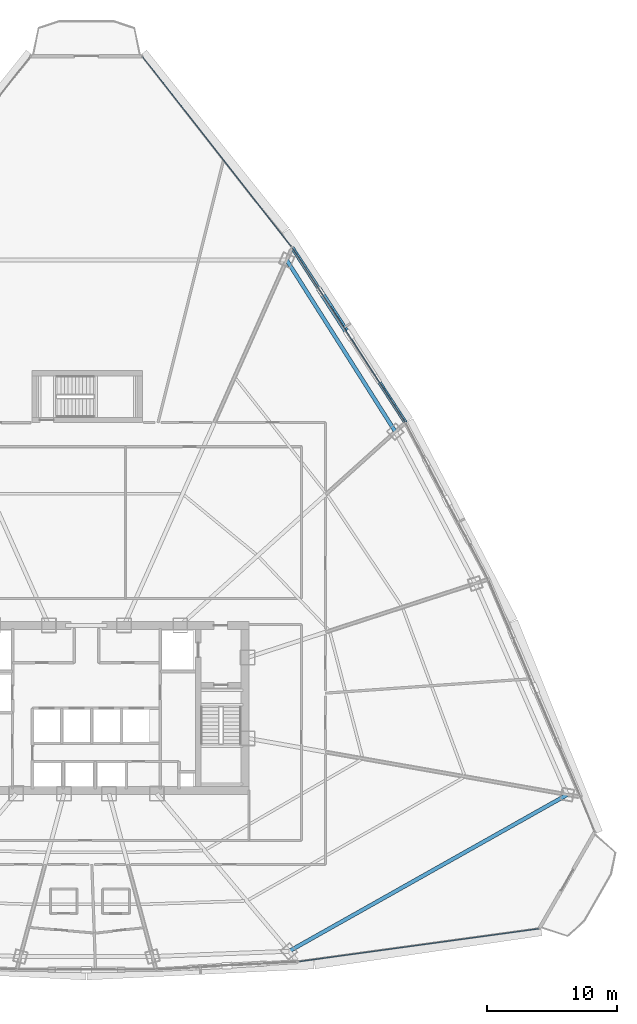
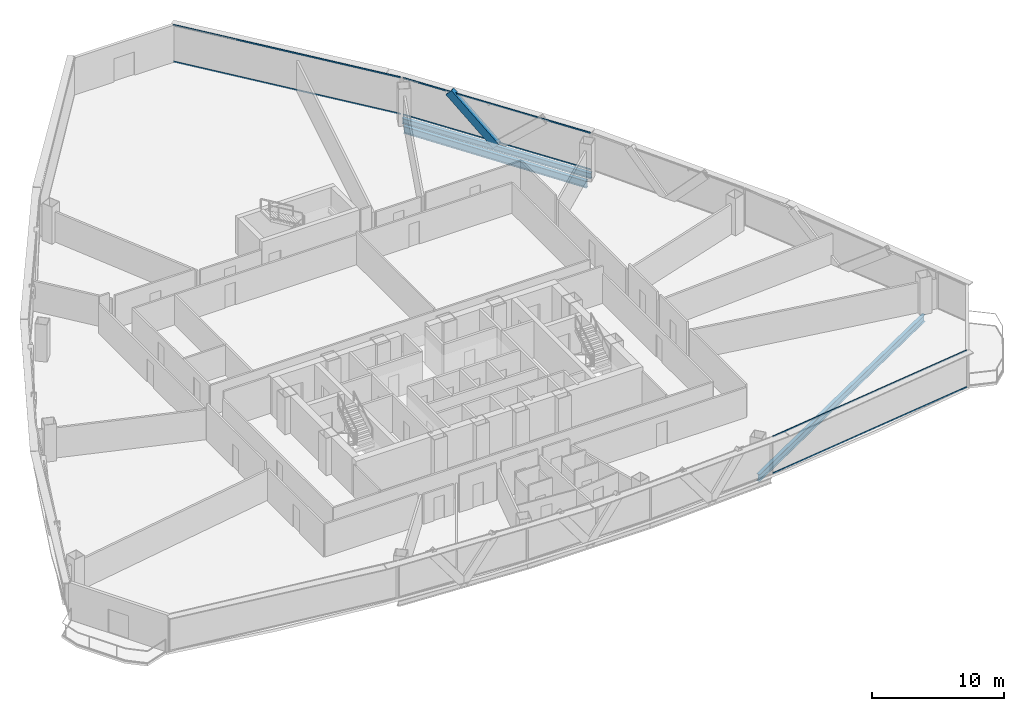
# One storey, part 23 of 39: 7 members, 3 beams, 3 elements without a shape of their own.
"""IFC4 building model written with IfcOpenShell, lengths in metres."""

import ifcopenshell
import ifcopenshell.guid

model = None  # the IFC model being written
_history = None  # IfcOwnerHistory: only IFC2X3 demands one
_inside = {}  # id of a spatial element -> (the spatial element, [elements in it])
_under = {}  # id of a project, library or spatial element -> (it, [spatial elements below it])
_declared = {}  # id of a project -> (the project, [libraries it declares])
_typed = {}  # id of a type object -> (the type object, [elements of that type])
_made_of = {}  # id of a material, layer set ... -> (it, [elements and type objects made of it])


def new_model(schema):
    """Start an empty IFC model of exactly this schema.

    Asked for "IFC4X3", IfcOpenShell would pick the latest addendum, in which some entities
    have other attributes; the version numbers below select the first issue.
    IFC2X3 requires an IfcOwnerHistory on every rooted entity: one is made here for all.
    """
    global model, _history
    if schema == "IFC4X3":
        model = ifcopenshell.file(schema_version=(4, 3, 0, 0))
    else:
        model = ifcopenshell.file(schema=schema)
    _inside.clear()
    _under.clear()
    _declared.clear()
    _typed.clear()
    _made_of.clear()
    _history = None
    if model.schema == "IFC2X3":
        org = make("IfcOrganization", Name="unknown")
        user = make(
            "IfcPersonAndOrganization",
            ThePerson=make("IfcPerson", FamilyName="unknown"),
            TheOrganization=org,
        )
        app = make(
            "IfcApplication",
            ApplicationDeveloper=org,
            Version="unknown",
            ApplicationFullName="unknown",
            ApplicationIdentifier="unknown",
        )
        _history = make(
            "IfcOwnerHistory",
            OwningUser=user,
            OwningApplication=app,
            ChangeAction="ADDED",
            CreationDate=0,
        )
    return model


def make(cls, **values):
    """One entity of the class cls with the attributes given. An attribute that is None is left unset."""
    return model.create_entity(
        cls, **{name: value for name, value in values.items() if value is not None}
    )


def rooted(cls, **values):
    """An entity with a GlobalId (a new one), such as an element, a storey or a relation."""
    return make(cls, GlobalId=ifcopenshell.guid.new(), OwnerHistory=_history, **values)


def si_unit(unit_type, name, prefix=None):
    """IfcSIUnit, for example si_unit("LENGTHUNIT", "METRE", prefix="MILLI")."""
    return make("IfcSIUnit", UnitType=unit_type, Prefix=prefix, Name=name)


def assignment(units):
    """IfcUnitAssignment: the units of a project."""
    return None if units is None else make("IfcUnitAssignment", Units=units)


def point(xyz):
    """IfcCartesianPoint."""
    return None if xyz is None else make("IfcCartesianPoint", Coordinates=xyz)


def direction(xyz):
    """IfcDirection."""
    return None if xyz is None else make("IfcDirection", DirectionRatios=xyz)


def frame(location, z_axis=None, x_axis=None):
    """IfcAxis2Placement3D, a coordinate frame: its origin and axes. An axis left out is left unset."""
    return make(
        "IfcAxis2Placement3D",
        Location=point(location),
        Axis=direction(z_axis),
        RefDirection=direction(x_axis),
    )


def frame_2d(location, x_axis=None):
    """IfcAxis2Placement2D, a coordinate frame in the plane: its origin and x axis."""
    return make(
        "IfcAxis2Placement2D", Location=point(location), RefDirection=direction(x_axis)
    )


def origin():
    """The frame at (0, 0, 0) with its axes left unset."""
    return frame((0.0, 0.0, 0.0))


def origin_2d():
    """The frame at (0, 0) in the plane with its x axis left unset."""
    return frame_2d((0.0, 0.0))


def place(relative_to, where):
    """IfcLocalPlacement: puts the frame where relative to a parent placement (None: the world)."""
    return make(
        "IfcLocalPlacement", PlacementRelTo=relative_to, RelativePlacement=where
    )


def context(
    kind, dimensions, precision=None, world=None, true_north=None, identifier=None
):
    """IfcGeometricRepresentationContext, for example the 3D "Model" context."""
    return make(
        "IfcGeometricRepresentationContext",
        ContextIdentifier=identifier,
        ContextType=kind,
        CoordinateSpaceDimension=dimensions,
        Precision=precision,
        WorldCoordinateSystem=world,
        TrueNorth=true_north,
    )


def subcontext(parent, identifier, kind, view, scale=None):
    """IfcGeometricRepresentationSubContext, for example "Body" below "Model"."""
    return make(
        "IfcGeometricRepresentationSubContext",
        ContextIdentifier=identifier,
        ContextType=kind,
        ParentContext=parent,
        TargetScale=scale,
        TargetView=view,
    )


def project(units=None, contexts=None):
    """IfcProject with its units and contexts."""
    return rooted(
        "IfcProject",
        Name="project",
        RepresentationContexts=contexts,
        UnitsInContext=assignment(units),
    )


def spatial(cls, under=None, at=None, **own):
    """A site, building, storey or space (cls), placed at a placement, below another one or the project."""
    s = rooted(cls, ObjectPlacement=at, **own)
    if under is not None:
        _under.setdefault(under.id(), (under, []))[1].append(s)
    return s


def profile(cls, at=None, kind="AREA", **sizes):
    """A parametric profile (cls). Its sizes go by their IFC names, for example OverallWidth=200.0."""
    return make(cls, ProfileType=kind, Position=at, **sizes)


def hollow_rectangle(**sizes):
    """IfcRectangleHollowProfileDef."""
    return profile("IfcRectangleHollowProfileDef", **sizes)


def i_section(**sizes):
    """IfcIShapeProfileDef."""
    return profile("IfcIShapeProfileDef", **sizes)


def extrude(swept, where, along, depth):
    """IfcExtrudedAreaSolid: the profile swept, set in the frame where, extruded along a direction by depth."""
    return make(
        "IfcExtrudedAreaSolid",
        SweptArea=swept,
        Position=where,
        ExtrudedDirection=direction(along),
        Depth=depth,
    )


def shape(context_of_items, identifier, shape_type, items):
    """IfcShapeRepresentation: the items that make up one representation, for example the "Body"."""
    return make(
        "IfcShapeRepresentation",
        ContextOfItems=context_of_items,
        RepresentationIdentifier=identifier,
        RepresentationType=shape_type,
        Items=items,
    )


def source(mapping_origin, context_of_items, identifier, shape_type, items):
    """IfcRepresentationMap: a shape defined once, which mapped items show again and again."""
    return make(
        "IfcRepresentationMap",
        MappingOrigin=mapping_origin,
        MappedRepresentation=shape(context_of_items, identifier, shape_type, items),
    )


def transform(
    local_origin,
    x_axis=None,
    y_axis=None,
    z_axis=None,
    scale=None,
    scale2=None,
    scale3=None,
    uniform=True,
):
    """IfcCartesianTransformationOperator3D, or its non-uniform kind. x_axis, y_axis, z_axis: its Axis1, 2, 3."""
    if uniform:
        return make(
            "IfcCartesianTransformationOperator3D",
            Axis1=direction(x_axis),
            Axis2=direction(y_axis),
            LocalOrigin=point(local_origin),
            Scale=scale,
            Axis3=direction(z_axis),
        )
    return make(
        "IfcCartesianTransformationOperator3DnonUniform",
        Axis1=direction(x_axis),
        Axis2=direction(y_axis),
        LocalOrigin=point(local_origin),
        Scale=scale,
        Axis3=direction(z_axis),
        Scale2=scale2,
        Scale3=scale3,
    )


def mapped(mapping_source, mapping_target):
    """IfcMappedItem: shows the shape of a source again, moved by a transform."""
    return make(
        "IfcMappedItem", MappingSource=mapping_source, MappingTarget=mapping_target
    )


def material(Name=None, Category=None):
    """IfcMaterial."""
    return make("IfcMaterial", Name=Name, Category=Category)


def layer(
    of_material, thickness, ventilated=None, Name=None, Category=None, Priority=None
):
    """IfcMaterialLayer: one layer of a wall or slab, of a material (None: an air gap)."""
    return make(
        "IfcMaterialLayer",
        Material=of_material,
        LayerThickness=thickness,
        IsVentilated=ventilated,
        Name=Name,
        Category=Category,
        Priority=Priority,
    )


def layer_set(layers, Name=None):
    """IfcMaterialLayerSet."""
    return make("IfcMaterialLayerSet", MaterialLayers=layers, LayerSetName=Name)


def material_profile(
    of_material, cross_section, Name=None, Category=None, Priority=None
):
    """IfcMaterialProfile: a cross section and its material."""
    return make(
        "IfcMaterialProfile",
        Name=Name,
        Material=of_material,
        Profile=cross_section,
        Priority=Priority,
        Category=Category,
    )


def profile_set(profiles, Name=None, composite=None):
    """IfcMaterialProfileSet."""
    return make(
        "IfcMaterialProfileSet",
        Name=Name,
        MaterialProfiles=profiles,
        CompositeProfile=composite,
    )


def made_of(thing, what):
    """Note that an element or type object is made of a material, layer set ...; save() writes the relation."""
    if what is not None:
        _made_of.setdefault(what.id(), (what, []))[1].append(thing)
    return thing


def type_object(cls, material=None, **own):
    """A type object (cls), such as IfcWallType, which elements share."""
    return made_of(rooted(cls, **own), material)


def element(
    cls,
    number,
    at=None,
    inside=None,
    cuts=None,
    type_object=None,
    material=None,
    context=None,
    identifier="Body",
    shape_type=None,
    held_by="IfcProductDefinitionShape",
    body=None,
    shapes=None,
    **own,
):
    """One element of the class cls, such as IfcWall. Its Tag is "e" and its number.

    at: its placement. inside: the storey or other place that contains it. cuts: it is an
    opening in that element (IfcRelVoidsElement). A single representation is given by context,
    identifier, shape_type and body (its items); several are given by shapes. held_by: the class
    of the entity that holds the representations. save() writes the other relations.
    """
    e = rooted(cls, Tag="e%d" % number, ObjectPlacement=at, **own)
    if body is not None:
        shapes = [shape(context, identifier, shape_type, body)]
    if shapes is not None:
        e.Representation = make(held_by, Representations=shapes)
    if inside is not None:
        _inside.setdefault(inside.id(), (inside, []))[1].append(e)
    if cuts is not None:
        rooted(
            "IfcRelVoidsElement", RelatingBuildingElement=cuts, RelatedOpeningElement=e
        )
    if type_object is not None:
        _typed.setdefault(type_object.id(), (type_object, []))[1].append(e)
    return made_of(e, material)


def aggregate(whole, parts):
    """IfcRelAggregates: a whole, such as a stair, and the parts it consists of."""
    return rooted("IfcRelAggregates", RelatingObject=whole, RelatedObjects=parts)


def save(model, path):
    """Write the relations noted so far, then the file.

    IfcRelAggregates (storeys below a building ...), IfcRelContainedInSpatialStructure (elements
    in a storey), IfcRelDefinesByType, IfcRelAssociatesMaterial and IfcRelDeclares: one each for
    every whole, place, type object, material and project.
    """
    for whole, parts in _under.values():
        aggregate(whole, parts)
    for where, things in _inside.values():
        rooted(
            "IfcRelContainedInSpatialStructure",
            RelatedElements=things,
            RelatingStructure=where,
        )
    for kind, things in _typed.values():
        rooted("IfcRelDefinesByType", RelatedObjects=things, RelatingType=kind)
    for what, things in _made_of.values():
        rooted("IfcRelAssociatesMaterial", RelatedObjects=things, RelatingMaterial=what)
    for by, libraries in _declared.values():
        rooted("IfcRelDeclares", RelatingContext=by, RelatedDefinitions=libraries)
    model.write(path)


model = new_model("IFC4")

# Units and contexts
model_context = context("Model", 3, precision=1e-05, world=origin(), true_north=direction((0.0, 1.0)))
body_context = subcontext(model_context, "Body", "Model", "MODEL_VIEW")
ifc_project = project(units=[si_unit("LENGTHUNIT", "METRE"), si_unit("AREAUNIT", "SQUARE_METRE"), si_unit("VOLUMEUNIT", "CUBIC_METRE"), si_unit("PLANEANGLEUNIT", "RADIAN"), si_unit("MASSUNIT", "GRAM", prefix="KILO"), si_unit("THERMODYNAMICTEMPERATUREUNIT", "KELVIN"), si_unit("POWERUNIT", "WATT")], contexts=[model_context])

# Site, building, storey
site_placement = place(None, origin())
site = spatial("IfcSite", under=ifc_project, at=site_placement, CompositionType="ELEMENT")
building_placement = place(site_placement, origin())
building = spatial("IfcBuilding", under=site, at=building_placement, Name="Yunzhuo Pagoda Commons", CompositionType="ELEMENT")
storey_placement = place(building_placement, frame((0.0, 0.0, 166.6298828125)))
storey = spatial("IfcBuildingStorey", under=building, at=storey_placement, Name="L42", CompositionType="ELEMENT", Elevation=166.6298828125)

# Beams
ifc_material_1 = material(Name="Structural steel Q355B", Category="steel")
ifc_material_profile_1 = material_profile(ifc_material_1, i_section(OverallWidth=0.300048828125, OverallDepth=0.64990234375, WebThickness=0.012939453125, FlangeThickness=0.02197265625, at=origin_2d()), Name="Structural steel Q355B")
ifc_profile_set_1 = profile_set([ifc_material_profile_1], Name="Structural steel Q355B")
beam_type_1 = type_object("IfcBeamType", Name="B-RG2 Beam HN 650x300x13x22", PredefinedType="BEAM", material=ifc_profile_set_1)
shared_shape_1 = source(origin(), body_context, "Body", "SweptSolid", [
    extrude(i_section(OverallWidth=0.300048828125, OverallDepth=0.64990234375, WebThickness=0.012939453125, FlangeThickness=0.02197265625, at=origin_2d()), origin(), (0.0, 0.0, 1.0), 24.56982421875),
])
beam_1_placement = place(storey_placement, frame((63.585205078125, 15.126220703125, -0.5849609375), z_axis=(0.871469103633, 0.490450406681, 0.0), x_axis=(-0.490450406681, 0.871469103633, 0.0)))
element("IfcBeam", 1, at=beam_1_placement, inside=storey, type_object=beam_type_1, Name="L42 column-ring beam 4", PredefinedType="BEAM", context=body_context, shape_type="MappedRepresentation", body=[
    mapped(shared_shape_1, transform((0.0, 0.0, 0.0), scale=1.0)),
])
shared_shape_2 = source(origin(), body_context, "Body", "SweptSolid", [
    extrude(i_section(OverallWidth=0.300048828125, OverallDepth=0.64990234375, WebThickness=0.012939453125, FlangeThickness=0.02197265625, at=origin_2d()), origin(), (0.0, 0.0, 1.0), 15.627685546875),
])
beam_2_placement = place(storey_placement, frame((71.76611328125, 55.09912109375, -0.5849609375), z_axis=(-0.534952471728, 0.844882153316, 0.0), x_axis=(-0.844882153316, -0.534952471728, 0.0)))
element("IfcBeam", 2, at=beam_2_placement, inside=storey, type_object=beam_type_1, Name="L42 column-ring beam 7", PredefinedType="BEAM", context=body_context, shape_type="MappedRepresentation", body=[
    mapped(shared_shape_2, transform((0.0, 0.0, 0.0), scale=1.0)),
])
ifc_material_profile_2 = material_profile(ifc_material_1, i_section(OverallWidth=0.300048828125, OverallDepth=0.488037109375, WebThickness=0.010986328125, FlangeThickness=0.01806640625, at=origin_2d()), Name="Structural steel Q355B")
ifc_profile_set_2 = profile_set([ifc_material_profile_2], Name="Structural steel Q355B")
beam_type_2 = type_object("IfcBeamType", Name="B-SP1 Beam HM 488x300x11x18", PredefinedType="BEAM", material=ifc_profile_set_2)
shared_shape_3 = source(origin(), body_context, "Body", "SweptSolid", [
    extrude(i_section(OverallWidth=0.300048828125, OverallDepth=0.488037109375, WebThickness=0.010986328125, FlangeThickness=0.01806640625, at=origin_2d()), origin(), (0.0, 0.0, 1.0), 16.0341796875),
])
beam_3_placement = place(storey_placement, frame((72.54638671875, 55.8017578125, -0.50390625), z_axis=(-0.543409101482, 0.83946801513, 0.0), x_axis=(-0.83946801513, -0.543409101482, 0.0)))
element("IfcBeam", 3, at=beam_3_placement, inside=storey, type_object=beam_type_2, Name="L42 facade edge spandrel beam F2.3", PredefinedType="BEAM", context=body_context, shape_type="MappedRepresentation", body=[
    mapped(shared_shape_3, transform((0.0, 0.0, 0.0), scale=1.0)),
])

# Member
ifc_material_profile_3 = material_profile(ifc_material_1, hollow_rectangle(XDim=0.39990234375, YDim=0.719970703125, WallThickness=0.02392578125, at=origin_2d()), Name="Structural steel Q355B")
ifc_profile_set_3 = profile_set([ifc_material_profile_3], Name="Structural steel Q355B")
member_type_1 = type_object("IfcMemberType", Name="M-DL2 Brace BOX 720x400x24", PredefinedType="BRACE", material=ifc_profile_set_3)
shared_shape_4 = source(origin(), body_context, "Body", "SweptSolid", [
    extrude(hollow_rectangle(XDim=0.39990234375, YDim=0.719970703125, WallThickness=0.02392578125, at=origin_2d()), origin(), (0.0, 0.0, 1.0), 5.441650390625),
])
member_1_placement = place(storey_placement, frame((68.189697265625, 62.53173828125, -0.259765625), z_axis=(-0.400288527853, 0.618423791518, 0.676255209631), x_axis=(-0.839488448366, -0.543377534556, 0.0)))
element("IfcMember", 4, at=member_1_placement, inside=storey, type_object=member_type_1, Name="L42 facade diamond brace F2.3R", PredefinedType="BRACE", context=body_context, shape_type="MappedRepresentation", body=[
    mapped(shared_shape_4, transform((0.0, 0.0, 0.0), scale=1.0)),
])

# Curtain wall, members
ifc_material_2 = material(Name="Anodized aluminium 6063-T6", Category="aluminium")
ifc_layer = layer(ifc_material_2, 0.14990234375)
ifc_layer_set = layer_set([ifc_layer], Name="Anodized aluminium 6063-T6")
curtain_wall_type = type_object("IfcCurtainWallType", Name="CW-MID Mid-Zone Ribbon Curtain Wall", PredefinedType="NOTDEFINED", material=ifc_layer_set)
curtain_wall_1_placement = place(storey_placement, origin())
curtain_wall_1 = element("IfcCurtainWall", 5, at=curtain_wall_1_placement, inside=storey, type_object=curtain_wall_type, Name="L42 curtain wall CW-L42-F1B5", PredefinedType="NOTDEFINED")
ifc_material_profile_4 = material_profile(ifc_material_2, hollow_rectangle(XDim=0.054931640625, YDim=0.1298828125, WallThickness=0.00341796875, at=origin_2d()), Name="Anodized aluminium 6063-T6")
ifc_profile_set_4 = profile_set([ifc_material_profile_4], Name="Anodized aluminium 6063-T6")
member_type_2 = type_object("IfcMemberType", Name="CW-MID-T Transom RHS 130x55x3.5", PredefinedType="USERDEFINED", material=ifc_profile_set_4)
shared_shape_5 = source(origin(), body_context, "Body", "SweptSolid", [
    extrude(hollow_rectangle(XDim=0.054931640625, YDim=0.1298828125, WallThickness=0.00341796875, at=origin_2d()), origin(), (0.0, 0.0, 1.0), 18.559814453125),
])
member_2_placement = place(storey_placement, frame((64.393798828125, 14.34033203125, 0.027587890625), z_axis=(0.990741021936, 0.135765339663, 0.0), x_axis=(-0.135765339663, 0.990741021936, 0.0)))
member_2 = element("IfcMember", 6, at=member_2_placement, type_object=member_type_2, Name="CW transom 1.1", ObjectType="TRANSOM", PredefinedType="USERDEFINED", context=body_context, shape_type="MappedRepresentation", body=[
    mapped(shared_shape_5, transform((0.0, 0.0, 0.0), scale=1.0)),
])
member_3_placement = place(storey_placement, frame((64.393798828125, 14.34033203125, 3.392578125), z_axis=(0.990741021936, 0.135765339663, 0.0), x_axis=(-0.135765339663, 0.990741021936, 0.0)))
member_3 = element("IfcMember", 7, at=member_3_placement, type_object=member_type_2, Name="CW transom 1.2", ObjectType="TRANSOM", PredefinedType="USERDEFINED", context=body_context, shape_type="MappedRepresentation", body=[
    mapped(shared_shape_5, transform((0.0, 0.0, 0.0), scale=1.0)),
])
aggregate(curtain_wall_1, [member_2, member_3])

curtain_wall_2_placement = place(storey_placement, origin())
curtain_wall_2 = element("IfcCurtainWall", 8, at=curtain_wall_2_placement, inside=storey, type_object=curtain_wall_type, Name="L42 curtain wall CW-L42-F2B4", PredefinedType="NOTDEFINED")
shared_shape_6 = source(origin(), body_context, "Body", "SweptSolid", [
    extrude(hollow_rectangle(XDim=0.054931640625, YDim=0.1298828125, WallThickness=0.00341796875, at=origin_2d()), origin(), (0.0, 0.0, 1.0), 15.914306640625),
])
member_4_placement = place(storey_placement, frame((72.513916015625, 55.85205078125, 0.027587890625), z_axis=(-0.543423646974, 0.839458599283, 0.0), x_axis=(-0.839458599283, -0.543423646974, 0.0)))
member_4 = element("IfcMember", 9, at=member_4_placement, type_object=member_type_2, Name="CW transom 1.1", ObjectType="TRANSOM", PredefinedType="USERDEFINED", context=body_context, shape_type="MappedRepresentation", body=[
    mapped(shared_shape_6, transform((0.0, 0.0, 0.0), scale=1.0)),
])
member_5_placement = place(storey_placement, frame((72.513916015625, 55.85205078125, 3.392578125), z_axis=(-0.543423646974, 0.839458599283, 0.0), x_axis=(-0.839458599283, -0.543423646974, 0.0)))
member_5 = element("IfcMember", 10, at=member_5_placement, type_object=member_type_2, Name="CW transom 1.2", ObjectType="TRANSOM", PredefinedType="USERDEFINED", context=body_context, shape_type="MappedRepresentation", body=[
    mapped(shared_shape_6, transform((0.0, 0.0, 0.0), scale=1.0)),
])
aggregate(curtain_wall_2, [member_4, member_5])

curtain_wall_3_placement = place(storey_placement, origin())
curtain_wall_3 = element("IfcCurtainWall", 11, at=curtain_wall_3_placement, inside=storey, type_object=curtain_wall_type, Name="L42 curtain wall CW-L42-F2B5", PredefinedType="NOTDEFINED")
shared_shape_7 = source(origin(), body_context, "Body", "SweptSolid", [
    extrude(hollow_rectangle(XDim=0.054931640625, YDim=0.1298828125, WallThickness=0.00341796875, at=origin_2d()), origin(), (0.0, 0.0, 1.0), 18.532470703125),
])
member_6_placement = place(storey_placement, frame((63.749755859375, 69.3681640625, 0.027587890625), z_axis=(-0.617131299071, 0.786860190699, 0.0), x_axis=(-0.786860190699, -0.617131299071, 0.0)))
member_6 = element("IfcMember", 12, at=member_6_placement, type_object=member_type_2, Name="CW transom 1.1", ObjectType="TRANSOM", PredefinedType="USERDEFINED", context=body_context, shape_type="MappedRepresentation", body=[
    mapped(shared_shape_7, transform((0.0, 0.0, 0.0), scale=1.0)),
])
member_7_placement = place(storey_placement, frame((63.749755859375, 69.3681640625, 3.392578125), z_axis=(-0.617131299071, 0.786860190699, 0.0), x_axis=(-0.786860190699, -0.617131299071, 0.0)))
member_7 = element("IfcMember", 13, at=member_7_placement, type_object=member_type_2, Name="CW transom 1.2", ObjectType="TRANSOM", PredefinedType="USERDEFINED", context=body_context, shape_type="MappedRepresentation", body=[
    mapped(shared_shape_7, transform((0.0, 0.0, 0.0), scale=1.0)),
])
aggregate(curtain_wall_3, [member_6, member_7])

save(model, "model.ifc")
